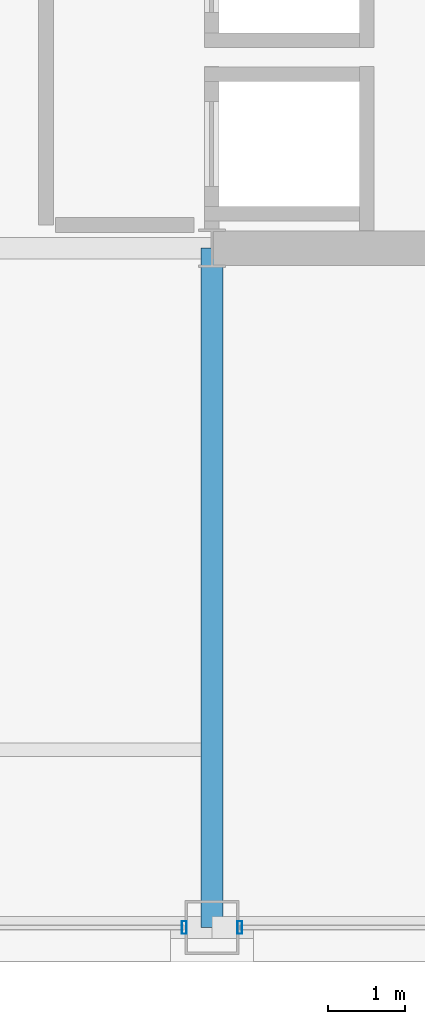
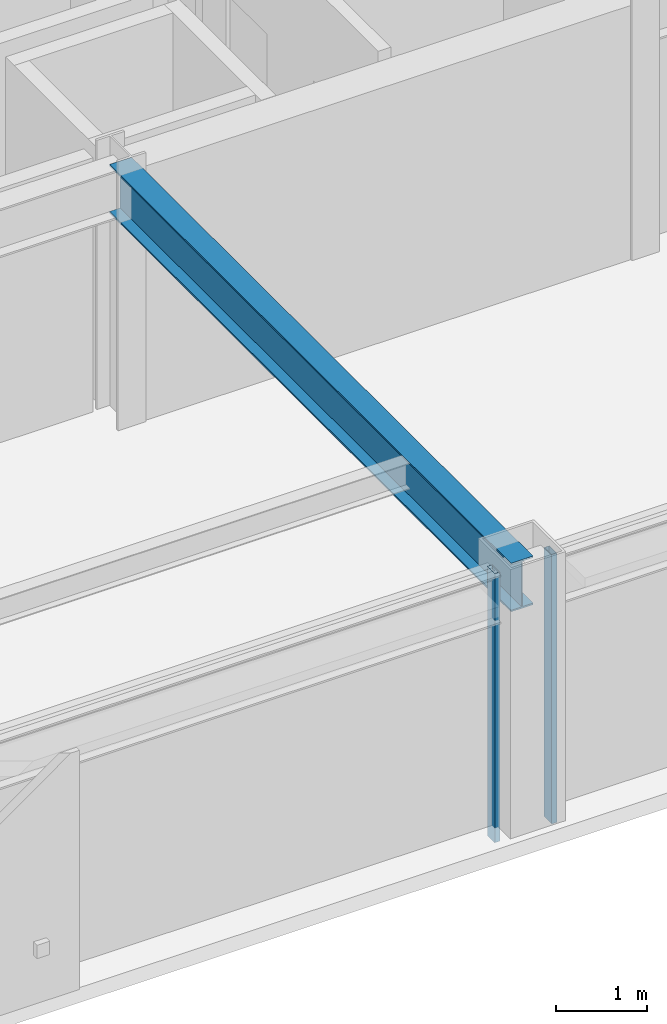
# One storey, part 6 of 30: 2 members, 1 beam, 2 elements without a shape of their own.
"""IFC4 building model written with IfcOpenShell, lengths in metres."""

from ifc_helpers import new_model, si_unit, direction, frame, origin, origin_2d, place, context, subcontext, project, spatial, hollow_rectangle, i_section, extrude, material, layer, layer_set, material_profile, profile_set, type_object, element, aggregate, save


model = new_model("IFC4")

# Units and contexts
model_context = context("Model", 3, precision=1e-05, world=origin(), true_north=direction((0.0, 1.0)))
body_context = subcontext(model_context, "Body", "Model", "MODEL_VIEW")
ifc_project = project(units=[si_unit("LENGTHUNIT", "METRE"), si_unit("AREAUNIT", "SQUARE_METRE"), si_unit("VOLUMEUNIT", "CUBIC_METRE"), si_unit("PLANEANGLEUNIT", "RADIAN"), si_unit("MASSUNIT", "GRAM", prefix="KILO")], contexts=[model_context])

# Site, building, storey
site_placement = place(None, origin())
site = spatial("IfcSite", under=ifc_project, at=site_placement, CompositionType="ELEMENT")
building_placement = place(site_placement, origin())
building = spatial("IfcBuilding", under=site, at=building_placement, Name="Brelmoor Portico Tower", CompositionType="ELEMENT")
storey_placement = place(building_placement, frame((0.0, 0.0, 187.5)))
storey = spatial("IfcBuildingStorey", under=building, at=storey_placement, Name="L49", CompositionType="ELEMENT", Elevation=187.5)

# Beam
ifc_material_1 = material(Name="Steel Q355B", Category="steel")
ifc_material_profile_1 = material_profile(ifc_material_1, i_section(OverallWidth=0.280029296875, OverallDepth=0.64990234375, WebThickness=0.012939453125, FlangeThickness=0.02197265625, at=origin_2d()), Name="HN 650x280x13x22")
ifc_profile_set_1 = profile_set([ifc_material_profile_1], Name="Steel Q355B")
beam_type = type_object("IfcBeamType", Name="BM-PG-650", PredefinedType="BEAM", material=ifc_profile_set_1)
beam_placement = place(storey_placement, frame((8.050048828125, -18.550048828125, 3.074951171875), z_axis=(0.0, 1.0, 0.0), x_axis=(-1.0, 0.0, 0.0)))
element("IfcBeam", 1, at=beam_placement, inside=storey, type_object=beam_type, Name="L49 Primary Floor Girder PG-06", PredefinedType="BEAM", context=body_context, shape_type="SweptSolid", body=[
    extrude(i_section(OverallWidth=0.280029296875, OverallDepth=0.64990234375, WebThickness=0.012939453125, FlangeThickness=0.02197265625, at=origin_2d()), origin(), (0.0, 0.0, 1.0), 8.800048828125),
])

# Curtain wall, member
ifc_material_2 = material(Name="Anodised Aluminium Alloy 6063-T6", Category="aluminium")
ifc_layer = layer(ifc_material_2, 0.179931640625)
ifc_layer_set = layer_set([ifc_layer], Name="Anodised Aluminium Alloy 6063-T6")
curtain_wall_type = type_object("IfcCurtainWallType", Name="CW-TOWER-Z3-XB", PredefinedType="NOTDEFINED", material=ifc_layer_set)
curtain_wall_1_placement = place(storey_placement, origin())
curtain_wall_1 = element("IfcCurtainWall", 2, at=curtain_wall_1_placement, inside=storey, type_object=curtain_wall_type, Name="L49 Curtain Wall CW-L49-01-2", PredefinedType="NOTDEFINED")
ifc_material_profile_2 = material_profile(ifc_material_2, hollow_rectangle(XDim=0.06494140625, YDim=0.1650390625, WallThickness=0.00390625, at=origin_2d()), Name="ALU MULLION 65x165")
ifc_profile_set_2 = profile_set([ifc_material_profile_2], Name="Anodised Aluminium Alloy 6063-T6")
member_type = type_object("IfcMemberType", Name="MB-CW-MULL-165", PredefinedType="MULLION", material=ifc_profile_set_2)
member_1_placement = place(storey_placement, frame((7.68994140625, -18.550048828125, -0.199951171875), z_axis=(0.0, 0.0, 1.0), x_axis=(1.0, 0.0, 0.0)))
member_1 = element("IfcMember", 3, at=member_1_placement, type_object=member_type, Name="CW-L49-01-2 Mullion 01", PredefinedType="MULLION", context=body_context, shape_type="SweptSolid", body=[
    extrude(hollow_rectangle(XDim=0.06494140625, YDim=0.1650390625, WallThickness=0.00390625, at=origin_2d()), origin(), (0.0, 0.0, 1.0), 3.599853515625),
])
aggregate(curtain_wall_1, [member_1])

curtain_wall_2_placement = place(storey_placement, origin())
curtain_wall_2 = element("IfcCurtainWall", 4, at=curtain_wall_2_placement, inside=storey, type_object=curtain_wall_type, Name="L49 Curtain Wall CW-L49-01-3", PredefinedType="NOTDEFINED")
member_2_placement = place(storey_placement, frame((8.409912109375, -18.550048828125, -0.199951171875), z_axis=(0.0, 0.0, 1.0), x_axis=(1.0, 0.0, 0.0)))
member_2 = element("IfcMember", 5, at=member_2_placement, type_object=member_type, Name="CW-L49-01-3 Mullion 00", PredefinedType="MULLION", context=body_context, shape_type="SweptSolid", body=[
    extrude(hollow_rectangle(XDim=0.06494140625, YDim=0.1650390625, WallThickness=0.00390625, at=origin_2d()), origin(), (0.0, 0.0, 1.0), 3.599853515625),
])
aggregate(curtain_wall_2, [member_2])

save(model, "model.ifc")
